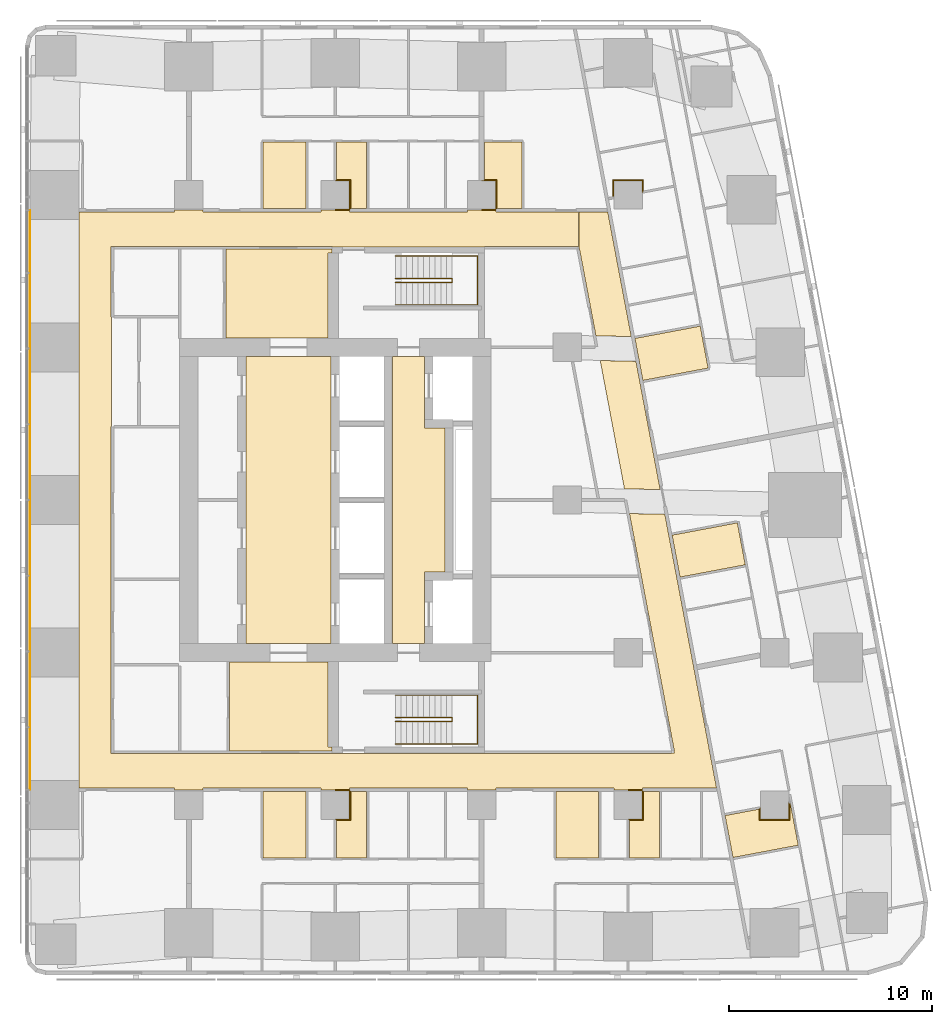
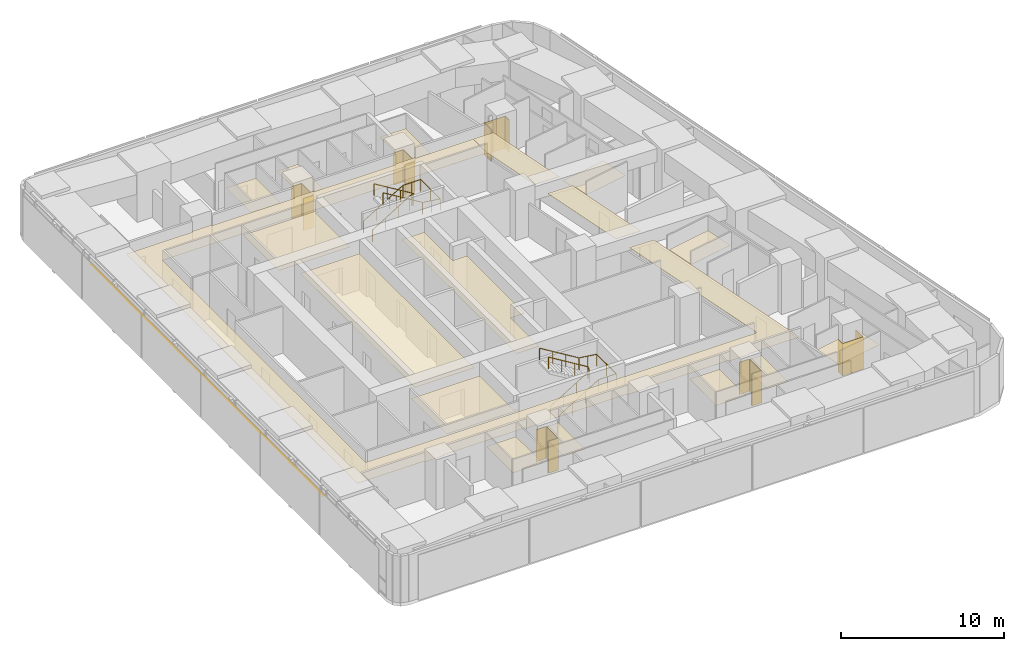
# One storey, part 19 of 19: 24 coverings, 4 railings.
"""IFC4 building model written with IfcOpenShell, lengths in metres."""

from ifc_helpers import new_model, si_unit, direction, frame, origin, origin_2d, place, context, subcontext, project, spatial, polyline, circle, outline, extrude, material, layer, layer_set, type_object, element, save


model = new_model("IFC4")

# Units and contexts
model_context = context("Model", 3, precision=1e-05, world=origin(), true_north=direction((0.0, 1.0)))
body_context = subcontext(model_context, "Body", "Model", "MODEL_VIEW")
ifc_project = project(units=[si_unit("LENGTHUNIT", "METRE"), si_unit("AREAUNIT", "SQUARE_METRE"), si_unit("VOLUMEUNIT", "CUBIC_METRE"), si_unit("PLANEANGLEUNIT", "RADIAN"), si_unit("MASSUNIT", "GRAM", prefix="KILO")], contexts=[model_context])

# Site, building, storey
site_placement = place(None, origin())
site = spatial("IfcSite", under=ifc_project, at=site_placement, CompositionType="ELEMENT")
building_placement = place(site_placement, origin())
building = spatial("IfcBuilding", under=site, at=building_placement, Name="Sheger Commons Tower", CompositionType="ELEMENT")
storey_placement = place(building_placement, frame((0.0, 0.0, 197.449951171875)))
storey = spatial("IfcBuildingStorey", under=building, at=storey_placement, Name="L50", CompositionType="ELEMENT", Elevation=197.449951171875)

# Railings
ifc_material_1 = material(Name="Steel handrail, black powder-coated", Category="steel")
railing_type = type_object("IfcRailingType", Name="HANDRAIL 900", PredefinedType="HANDRAIL", material=ifc_material_1)
railing_1_placement = place(storey_placement, frame((24.550048828125, 11.60009765625, 0.17041015625)))
element("IfcRailing", 1, at=railing_1_placement, inside=storey, type_object=railing_type, Name="Stair S1 handrail L50", PredefinedType="HANDRAIL", context=body_context, shape_type="SweptSolid", body=[
    extrude(circle(Radius=0.02392578125, at=origin_2d()), frame((0.0, 0.0, 0.8759765625), z_axis=(0.854169791009, 0.0, 0.51999420009), x_axis=(0.0, 1.0, 0.0)), (0.0, 0.0, 1.0), 3.278076171875),
    extrude(circle(Radius=0.02392578125, at=origin_2d()), frame((2.800048828125, 0.0, 2.58056640625), z_axis=(0.0, 0.761090297175, 0.648645943136), x_axis=(-1.0, 0.0, 0.0)), (0.0, 0.0, 1.0), 0.2626953125),
    extrude(circle(Radius=0.02392578125, at=origin_2d()), frame((2.800048828125, 0.199951171875, 2.7509765625), z_axis=(-0.854169791009, 0.0, 0.51999420009), x_axis=(0.0, -1.0, 0.0)), (0.0, 0.0, 1.0), 3.278076171875),
    extrude(circle(Radius=0.02099609375, at=origin_2d()), origin(), (0.0, 0.0, 1.0), 0.851806640625),
    extrude(circle(Radius=0.02099609375, at=origin_2d()), frame((0.933349609375, 0.0, 0.568115234375)), (0.0, 0.0, 1.0), 0.851806640625),
    extrude(circle(Radius=0.02099609375, at=origin_2d()), frame((1.86669921875, 0.0, 1.136474609375)), (0.0, 0.0, 1.0), 0.851806640625),
    extrude(circle(Radius=0.02099609375, at=origin_2d()), frame((2.800048828125, 0.0, 1.70458984375)), (0.0, 0.0, 1.0), 0.851806640625),
    extrude(circle(Radius=0.02099609375, at=origin_2d()), frame((2.800048828125, 0.199951171875, 1.875)), (0.0, 0.0, 1.0), 0.851806640625),
    extrude(circle(Radius=0.02099609375, at=origin_2d()), frame((1.86669921875, 0.199951171875, 2.443115234375)), (0.0, 0.0, 1.0), 0.851806640625),
    extrude(circle(Radius=0.02099609375, at=origin_2d()), frame((0.933349609375, 0.199951171875, 3.011474609375)), (0.0, 0.0, 1.0), 0.851806640625),
    extrude(circle(Radius=0.02099609375, at=origin_2d()), frame((0.0, 0.199951171875, 3.57958984375)), (0.0, 0.0, 1.0), 0.851806640625),
])
railing_2_placement = place(storey_placement, frame((24.550048828125, 10.5, 0.17041015625)))
element("IfcRailing", 2, at=railing_2_placement, inside=storey, type_object=railing_type, Name="Stair S1 handrail L50", PredefinedType="HANDRAIL", context=body_context, shape_type="SweptSolid", body=[
    extrude(circle(Radius=0.02392578125, at=origin_2d()), frame((0.0, 0.0, 0.8759765625), z_axis=(0.854169791009, 0.0, 0.51999420009), x_axis=(0.0, 1.0, 0.0)), (0.0, 0.0, 1.0), 3.278076171875),
    extrude(circle(Radius=0.02392578125, at=origin_2d()), frame((2.800048828125, 0.0, 2.58056640625), z_axis=(1.0, 0.0, 0.0), x_axis=(0.0, 1.0, 0.0)), (0.0, 0.0, 1.0), 1.25),
    extrude(circle(Radius=0.02392578125, at=origin_2d()), frame((4.050048828125, 0.0, 2.58056640625), z_axis=(0.0, 1.0, 0.0), x_axis=(-1.0, 0.0, 0.0)), (0.0, 0.0, 1.0), 2.39990234375),
    extrude(circle(Radius=0.02392578125, at=origin_2d()), frame((4.050048828125, 2.39990234375, 2.58056640625), z_axis=(-0.990834877927, 0.0, 0.135078661092), x_axis=(0.0, -1.0, 0.0)), (0.0, 0.0, 1.0), 1.261474609375),
    extrude(circle(Radius=0.02392578125, at=origin_2d()), frame((2.800048828125, 2.39990234375, 2.7509765625), z_axis=(-0.854169791009, 0.0, 0.51999420009), x_axis=(0.0, -1.0, 0.0)), (0.0, 0.0, 1.0), 3.278076171875),
    extrude(circle(Radius=0.02099609375, at=origin_2d()), origin(), (0.0, 0.0, 1.0), 0.851806640625),
    extrude(circle(Radius=0.02099609375, at=origin_2d()), frame((0.933349609375, 0.0, 0.568115234375)), (0.0, 0.0, 1.0), 0.851806640625),
    extrude(circle(Radius=0.02099609375, at=origin_2d()), frame((1.86669921875, 0.0, 1.136474609375)), (0.0, 0.0, 1.0), 0.851806640625),
    extrude(circle(Radius=0.02099609375, at=origin_2d()), frame((2.800048828125, 0.0, 1.70458984375)), (0.0, 0.0, 1.0), 0.851806640625),
    extrude(circle(Radius=0.02099609375, at=origin_2d()), frame((3.425048828125, 0.0, 1.70458984375)), (0.0, 0.0, 1.0), 0.851806640625),
    extrude(circle(Radius=0.02099609375, at=origin_2d()), frame((4.050048828125, 0.0, 1.70458984375)), (0.0, 0.0, 1.0), 0.851806640625),
    extrude(circle(Radius=0.02099609375, at=origin_2d()), frame((4.050048828125, 1.199951171875, 1.70458984375)), (0.0, 0.0, 1.0), 0.851806640625),
    extrude(circle(Radius=0.02099609375, at=origin_2d()), frame((4.050048828125, 2.39990234375, 1.70458984375)), (0.0, 0.0, 1.0), 0.851806640625),
    extrude(circle(Radius=0.02099609375, at=origin_2d()), frame((3.425048828125, 2.39990234375, 1.789794921875)), (0.0, 0.0, 1.0), 0.851806640625),
    extrude(circle(Radius=0.02099609375, at=origin_2d()), frame((2.800048828125, 2.39990234375, 1.875)), (0.0, 0.0, 1.0), 0.851806640625),
    extrude(circle(Radius=0.02099609375, at=origin_2d()), frame((1.86669921875, 2.39990234375, 2.443115234375)), (0.0, 0.0, 1.0), 0.851806640625),
    extrude(circle(Radius=0.02099609375, at=origin_2d()), frame((0.933349609375, 2.39990234375, 3.011474609375)), (0.0, 0.0, 1.0), 0.851806640625),
    extrude(circle(Radius=0.02099609375, at=origin_2d()), frame((0.0, 2.39990234375, 3.57958984375)), (0.0, 0.0, 1.0), 0.851806640625),
])
railing_3_placement = place(storey_placement, frame((24.550048828125, 33.39990234375, 0.17041015625)))
element("IfcRailing", 3, at=railing_3_placement, inside=storey, type_object=railing_type, Name="Stair S2 handrail L50", PredefinedType="HANDRAIL", context=body_context, shape_type="SweptSolid", body=[
    extrude(circle(Radius=0.02392578125, at=origin_2d()), frame((0.0, 0.0, 0.8759765625), z_axis=(0.854169791009, 0.0, 0.51999420009), x_axis=(0.0, 1.0, 0.0)), (0.0, 0.0, 1.0), 3.278076171875),
    extrude(circle(Radius=0.02392578125, at=origin_2d()), frame((2.800048828125, 0.0, 2.58056640625), z_axis=(0.0, -0.761090297175, 0.648645943136), x_axis=(1.0, 0.0, 0.0)), (0.0, 0.0, 1.0), 0.2626953125),
    extrude(circle(Radius=0.02392578125, at=origin_2d()), frame((2.800048828125, -0.199951171875, 2.7509765625), z_axis=(-0.854169791009, 0.0, 0.51999420009), x_axis=(0.0, -1.0, 0.0)), (0.0, 0.0, 1.0), 3.278076171875),
    extrude(circle(Radius=0.02099609375, at=origin_2d()), origin(), (0.0, 0.0, 1.0), 0.851806640625),
    extrude(circle(Radius=0.02099609375, at=origin_2d()), frame((0.933349609375, 0.0, 0.568115234375)), (0.0, 0.0, 1.0), 0.851806640625),
    extrude(circle(Radius=0.02099609375, at=origin_2d()), frame((1.86669921875, 0.0, 1.136474609375)), (0.0, 0.0, 1.0), 0.851806640625),
    extrude(circle(Radius=0.02099609375, at=origin_2d()), frame((2.800048828125, 0.0, 1.70458984375)), (0.0, 0.0, 1.0), 0.851806640625),
    extrude(circle(Radius=0.02099609375, at=origin_2d()), frame((2.800048828125, -0.199951171875, 1.875)), (0.0, 0.0, 1.0), 0.851806640625),
    extrude(circle(Radius=0.02099609375, at=origin_2d()), frame((1.86669921875, -0.199951171875, 2.443115234375)), (0.0, 0.0, 1.0), 0.851806640625),
    extrude(circle(Radius=0.02099609375, at=origin_2d()), frame((0.933349609375, -0.199951171875, 3.011474609375)), (0.0, 0.0, 1.0), 0.851806640625),
    extrude(circle(Radius=0.02099609375, at=origin_2d()), frame((0.0, -0.199951171875, 3.57958984375)), (0.0, 0.0, 1.0), 0.851806640625),
])
railing_4_placement = place(storey_placement, frame((24.550048828125, 34.5, 0.17041015625)))
element("IfcRailing", 4, at=railing_4_placement, inside=storey, type_object=railing_type, Name="Stair S2 handrail L50", PredefinedType="HANDRAIL", context=body_context, shape_type="SweptSolid", body=[
    extrude(circle(Radius=0.02392578125, at=origin_2d()), frame((0.0, 0.0, 0.8759765625), z_axis=(0.854169791009, 0.0, 0.51999420009), x_axis=(0.0, 1.0, 0.0)), (0.0, 0.0, 1.0), 3.278076171875),
    extrude(circle(Radius=0.02392578125, at=origin_2d()), frame((2.800048828125, 0.0, 2.58056640625), z_axis=(1.0, 0.0, 0.0), x_axis=(0.0, 1.0, 0.0)), (0.0, 0.0, 1.0), 1.25),
    extrude(circle(Radius=0.02392578125, at=origin_2d()), frame((4.050048828125, 0.0, 2.58056640625), z_axis=(0.0, -1.0, 0.0), x_axis=(1.0, 0.0, 0.0)), (0.0, 0.0, 1.0), 2.39990234375),
    extrude(circle(Radius=0.02392578125, at=origin_2d()), frame((4.050048828125, -2.39990234375, 2.58056640625), z_axis=(-0.990834877927, 0.0, 0.135078661092), x_axis=(0.0, -1.0, 0.0)), (0.0, 0.0, 1.0), 1.261474609375),
    extrude(circle(Radius=0.02392578125, at=origin_2d()), frame((2.800048828125, -2.39990234375, 2.7509765625), z_axis=(-0.854169791009, 0.0, 0.51999420009), x_axis=(0.0, -1.0, 0.0)), (0.0, 0.0, 1.0), 3.278076171875),
    extrude(circle(Radius=0.02099609375, at=origin_2d()), origin(), (0.0, 0.0, 1.0), 0.851806640625),
    extrude(circle(Radius=0.02099609375, at=origin_2d()), frame((0.933349609375, 0.0, 0.568115234375)), (0.0, 0.0, 1.0), 0.851806640625),
    extrude(circle(Radius=0.02099609375, at=origin_2d()), frame((1.86669921875, 0.0, 1.136474609375)), (0.0, 0.0, 1.0), 0.851806640625),
    extrude(circle(Radius=0.02099609375, at=origin_2d()), frame((2.800048828125, 0.0, 1.70458984375)), (0.0, 0.0, 1.0), 0.851806640625),
    extrude(circle(Radius=0.02099609375, at=origin_2d()), frame((3.425048828125, 0.0, 1.70458984375)), (0.0, 0.0, 1.0), 0.851806640625),
    extrude(circle(Radius=0.02099609375, at=origin_2d()), frame((4.050048828125, 0.0, 1.70458984375)), (0.0, 0.0, 1.0), 0.851806640625),
    extrude(circle(Radius=0.02099609375, at=origin_2d()), frame((4.050048828125, -1.199951171875, 1.70458984375)), (0.0, 0.0, 1.0), 0.851806640625),
    extrude(circle(Radius=0.02099609375, at=origin_2d()), frame((4.050048828125, -2.39990234375, 1.70458984375)), (0.0, 0.0, 1.0), 0.851806640625),
    extrude(circle(Radius=0.02099609375, at=origin_2d()), frame((3.425048828125, -2.39990234375, 1.789794921875)), (0.0, 0.0, 1.0), 0.851806640625),
    extrude(circle(Radius=0.02099609375, at=origin_2d()), frame((2.800048828125, -2.39990234375, 1.875)), (0.0, 0.0, 1.0), 0.851806640625),
    extrude(circle(Radius=0.02099609375, at=origin_2d()), frame((1.86669921875, -2.39990234375, 2.443115234375)), (0.0, 0.0, 1.0), 0.851806640625),
    extrude(circle(Radius=0.02099609375, at=origin_2d()), frame((0.933349609375, -2.39990234375, 3.011474609375)), (0.0, 0.0, 1.0), 0.851806640625),
    extrude(circle(Radius=0.02099609375, at=origin_2d()), frame((0.0, -2.39990234375, 3.57958984375)), (0.0, 0.0, 1.0), 0.851806640625),
])

# Coverings
ifc_material_2 = material(Name="Moisture-resistant gypsum plasterboard 15 mm on a suspended galvanised steel grid", Category="steel")
ifc_layer_1 = layer(ifc_material_2, 0.014892578125)
ifc_layer_set_1 = layer_set([ifc_layer_1], Name="MOISTURE-RESISTANT CEILING 15")
covering_type_1 = type_object("IfcCoveringType", Name="MOISTURE-RESISTANT CEILING 15", PredefinedType="CEILING", material=ifc_layer_set_1)
covering_1_placement = place(storey_placement, frame((0.0, 0.0, 2.400146484375)))
element("IfcCovering", 5, at=covering_1_placement, inside=storey, type_object=covering_type_1, Name="L50-02.B1 ceiling", PredefinedType="CEILING", context=body_context, shape_type="SweptSolid", body=[
    extrude(outline(polyline([(18.054931640625, 4.905029296875), (20.155029296875, 4.905029296875), (20.155029296875, 8.169921875), (18.054931640625, 8.169921875), (18.054931640625, 4.905029296875)])), origin(), (0.0, 0.0, 1.0), 0.014892578125),
])
covering_2_placement = place(storey_placement, frame((0.0, 0.0, 2.400146484375)))
element("IfcCovering", 6, at=covering_2_placement, inside=storey, type_object=covering_type_1, Name="L50-02.B2 ceiling", PredefinedType="CEILING", context=body_context, shape_type="SweptSolid", body=[
    extrude(outline(polyline([(21.655029296875, 4.905029296875), (23.14501953125, 4.905029296875), (23.14501953125, 8.169921875), (22.304931640625, 8.169921875), (22.304931640625, 6.794921875), (21.655029296875, 6.794921875), (21.655029296875, 4.905029296875)])), origin(), (0.0, 0.0, 1.0), 0.014892578125),
])
covering_3_placement = place(storey_placement, frame((0.0, 0.0, 2.400146484375)))
element("IfcCovering", 7, at=covering_3_placement, inside=storey, type_object=covering_type_1, Name="L50-03.B1 ceiling", PredefinedType="CEILING", context=body_context, shape_type="SweptSolid", body=[
    extrude(outline(polyline([(32.455078125, 4.905029296875), (34.554931640625, 4.905029296875), (34.554931640625, 8.169921875), (32.455078125, 8.169921875), (32.455078125, 4.905029296875)])), origin(), (0.0, 0.0, 1.0), 0.014892578125),
])
covering_4_placement = place(storey_placement, frame((0.0, 0.0, 2.400146484375)))
element("IfcCovering", 8, at=covering_4_placement, inside=storey, type_object=covering_type_1, Name="L50-03.B2 ceiling", PredefinedType="CEILING", context=body_context, shape_type="SweptSolid", body=[
    extrude(outline(polyline([(36.054931640625, 4.905029296875), (37.544921875, 4.905029296875), (37.544921875, 8.169921875), (36.705078125, 8.169921875), (36.705078125, 6.794921875), (36.054931640625, 6.794921875), (36.054931640625, 4.905029296875)])), origin(), (0.0, 0.0, 1.0), 0.014892578125),
])
covering_5_placement = place(storey_placement, frame((0.0, 0.0, 2.400146484375)))
element("IfcCovering", 9, at=covering_5_placement, inside=storey, type_object=covering_type_1, Name="L50-04.B1 ceiling", PredefinedType="CEILING", context=body_context, shape_type="SweptSolid", body=[
    extrude(outline(polyline([(36.72509765625, 28.37890625), (39.93310546875, 28.986083984375), (39.54296875, 31.049072265625), (36.3349609375, 30.443115234375), (36.72509765625, 28.37890625)])), origin(), (0.0, 0.0, 1.0), 0.014892578125),
])
covering_6_placement = place(storey_placement, frame((0.0, 0.0, 2.400146484375)))
element("IfcCovering", 10, at=covering_6_placement, inside=storey, type_object=covering_type_1, Name="L50-05.B1 ceiling", PredefinedType="CEILING", context=body_context, shape_type="SweptSolid", body=[
    extrude(outline(polyline([(38.552001953125, 18.7080078125), (41.760009765625, 19.31396484375), (41.3701171875, 21.3779296875), (38.162109375, 20.77197265625), (38.552001953125, 18.7080078125)])), origin(), (0.0, 0.0, 1.0), 0.014892578125),
])
covering_7_placement = place(storey_placement, frame((0.0, 0.0, 2.400146484375)))
element("IfcCovering", 11, at=covering_7_placement, inside=storey, type_object=covering_type_1, Name="L50-06.B1 ceiling", PredefinedType="CEILING", context=body_context, shape_type="SweptSolid", body=[
    extrude(outline(polyline([(41.156005859375, 4.9208984375), (44.364013671875, 5.527099609375), (43.97412109375, 7.591064453125), (43.9150390625, 7.580078125), (43.906982421875, 7.623046875), (43.905029296875, 7.623046875), (43.905029296875, 6.794921875), (42.4951171875, 6.794921875), (42.4951171875, 7.31201171875), (40.76611328125, 6.985107421875), (41.156005859375, 4.9208984375)])), origin(), (0.0, 0.0, 1.0), 0.014892578125),
])
covering_8_placement = place(storey_placement, frame((0.0, 0.0, 2.400146484375)))
element("IfcCovering", 12, at=covering_8_placement, inside=storey, type_object=covering_type_1, Name="L50-08.B1 ceiling", PredefinedType="CEILING", context=body_context, shape_type="SweptSolid", body=[
    extrude(outline(polyline([(18.054931640625, 36.830078125), (20.155029296875, 36.830078125), (20.155029296875, 40.094970703125), (18.054931640625, 40.094970703125), (18.054931640625, 36.830078125)])), origin(), (0.0, 0.0, 1.0), 0.014892578125),
])
covering_9_placement = place(storey_placement, frame((0.0, 0.0, 2.400146484375)))
element("IfcCovering", 13, at=covering_9_placement, inside=storey, type_object=covering_type_1, Name="L50-08.B2 ceiling", PredefinedType="CEILING", context=body_context, shape_type="SweptSolid", body=[
    extrude(outline(polyline([(22.304931640625, 36.830078125), (23.14501953125, 36.830078125), (23.14501953125, 40.094970703125), (21.655029296875, 40.094970703125), (21.655029296875, 38.205078125), (22.304931640625, 38.205078125), (22.304931640625, 36.830078125)])), origin(), (0.0, 0.0, 1.0), 0.014892578125),
])
covering_10_placement = place(storey_placement, frame((0.0, 0.0, 2.400146484375)))
element("IfcCovering", 14, at=covering_10_placement, inside=storey, type_object=covering_type_1, Name="L50-09.B1 ceiling", PredefinedType="CEILING", context=body_context, shape_type="SweptSolid", body=[
    extrude(outline(polyline([(29.5048828125, 36.830078125), (30.77392578125, 36.830078125), (30.77392578125, 40.094970703125), (28.929931640625, 40.094970703125), (28.929931640625, 38.205078125), (29.5048828125, 38.205078125), (29.5048828125, 36.830078125)])), origin(), (0.0, 0.0, 1.0), 0.014892578125),
])
ifc_material_3 = material(Name="Gypsum plasterboard 15 mm on a suspended steel grid", Category="steel")
ifc_layer_2 = layer(ifc_material_3, 0.014892578125)
ifc_layer_set_2 = layer_set([ifc_layer_2], Name="SUSPENDED CEILING 15")
covering_type_2 = type_object("IfcCoveringType", Name="SUSPENDED CEILING 15", PredefinedType="CEILING", material=ifc_layer_set_2)
covering_11_placement = place(storey_placement, frame((0.0, 0.0, 2.699951171875)))
element("IfcCovering", 15, at=covering_11_placement, inside=storey, type_object=covering_type_2, Name="L50-CO ceiling", PredefinedType="CEILING", context=body_context, shape_type="SweptSolid", body=[
    extrude(outline(polyline([(6.554931640625, 8.25), (6.594970703125, 8.25), (6.594970703125, 36.75), (6.554931640625, 36.75), (6.554931640625, 8.25)])), origin(), (0.0, 0.0, 1.0), 0.01513671875),
])
covering_12_placement = place(storey_placement, frame((0.0, 0.0, 2.699951171875)))
element("IfcCovering", 16, at=covering_12_placement, inside=storey, type_object=covering_type_2, Name="L50-CO ceiling", PredefinedType="CEILING", context=body_context, shape_type="SweptSolid", body=[
    extrude(outline(polyline([(13.7041015625, 8.25), (15.095947265625, 8.25), (15.095947265625, 8.330078125), (20.904052734375, 8.330078125), (20.904052734375, 8.25), (22.2958984375, 8.25), (22.2958984375, 8.330078125), (28.10400390625, 8.330078125), (28.10400390625, 8.25), (29.49609375, 8.25), (29.49609375, 8.330078125), (35.303955078125, 8.330078125), (35.303955078125, 8.25), (36.696044921875, 8.25), (36.696044921875, 8.330078125), (40.34912109375, 8.330078125), (37.804931640625, 21.798095703125), (36.06591796875, 21.8330078125), (38.26904296875, 10.1708984375), (38.251953125, 10.1669921875), (38.27392578125, 10.050048828125), (38.14306640625, 10.050048828125), (38.14306640625, 10.031982421875), (28.945068359375, 10.031982421875), (28.945068359375, 10.044921875), (21.455078125, 10.044921875), (21.455078125, 10.031982421875), (10.7080078125, 10.031982421875), (10.7080078125, 10.044921875), (10.58203125, 10.044921875), (10.58203125, 26.10498046875), (10.60009765625, 26.10498046875), (10.60009765625, 31.4951171875), (10.58203125, 31.4951171875), (10.58203125, 34.955078125), (10.7080078125, 34.955078125), (10.7080078125, 34.968017578125), (21.455078125, 34.968017578125), (21.455078125, 34.949951171875), (28.945068359375, 34.949951171875), (28.945068359375, 34.968017578125), (33.54296875, 34.968017578125), (33.54296875, 34.949951171875), (33.568115234375, 34.949951171875), (33.568115234375, 36.669921875), (29.49609375, 36.669921875), (29.49609375, 36.75), (28.10400390625, 36.75), (28.10400390625, 36.669921875), (22.2958984375, 36.669921875), (22.2958984375, 36.75), (20.904052734375, 36.75), (20.904052734375, 36.669921875), (15.095947265625, 36.669921875), (15.095947265625, 36.75), (13.7041015625, 36.75), (13.7041015625, 36.669921875), (9.0048828125, 36.669921875), (9.0048828125, 8.330078125), (13.7041015625, 8.330078125), (13.7041015625, 8.25)])), origin(), (0.0, 0.0, 1.0), 0.01513671875),
])
covering_13_placement = place(storey_placement, frame((0.0, 0.0, 2.699951171875)))
element("IfcCovering", 17, at=covering_13_placement, inside=storey, type_object=covering_type_2, Name="L50-CO ceiling", PredefinedType="CEILING", context=body_context, shape_type="SweptSolid", body=[
    extrude(outline(polyline([(37.575927734375, 23.011962890625), (36.385009765625, 29.318115234375), (34.626953125, 29.35791015625), (35.819091796875, 23.048095703125), (37.575927734375, 23.011962890625)])), origin(), (0.0, 0.0, 1.0), 0.01513671875),
])
covering_14_placement = place(storey_placement, frame((0.0, 0.0, 2.699951171875)))
element("IfcCovering", 18, at=covering_14_placement, inside=storey, type_object=covering_type_2, Name="L50-CO ceiling", PredefinedType="CEILING", context=body_context, shape_type="SweptSolid", body=[
    extrude(outline(polyline([(36.155029296875, 30.533935546875), (34.98095703125, 36.75), (34.97705078125, 36.75), (34.97705078125, 36.669921875), (33.572998046875, 36.669921875), (33.572998046875, 34.947998046875), (33.571044921875, 34.947998046875), (33.589111328125, 34.85205078125), (33.60595703125, 34.85498046875), (34.416015625, 30.572998046875), (36.155029296875, 30.533935546875)])), origin(), (0.0, 0.0, 1.0), 0.01513671875),
])
covering_15_placement = place(storey_placement, frame((0.0, 0.0, 2.699951171875)))
element("IfcCovering", 19, at=covering_15_placement, inside=storey, type_object=covering_type_2, Name="L50-SVS1 ceiling", PredefinedType="CEILING", context=body_context, shape_type="SweptSolid", body=[
    extrude(outline(polyline([(16.406982421875, 10.16796875), (21.445068359375, 10.16796875), (21.445068359375, 10.344970703125), (21.2451171875, 10.344970703125), (21.2451171875, 14.544921875), (16.406982421875, 14.544921875), (16.406982421875, 10.16796875)])), origin(), (0.0, 0.0, 1.0), 0.01513671875),
])
covering_16_placement = place(storey_placement, frame((0.0, 0.0, 2.699951171875)))
element("IfcCovering", 20, at=covering_16_placement, inside=storey, type_object=covering_type_2, Name="L50-SVN1 ceiling", PredefinedType="CEILING", context=body_context, shape_type="SweptSolid", body=[
    extrude(outline(polyline([(16.217041015625, 30.455078125), (21.2451171875, 30.455078125), (21.2451171875, 34.655029296875), (21.445068359375, 34.655029296875), (21.445068359375, 34.83203125), (16.217041015625, 34.83203125), (16.217041015625, 30.455078125)])), origin(), (0.0, 0.0, 1.0), 0.01513671875),
])
covering_17_placement = place(storey_placement, frame((0.0, 0.0, 2.699951171875)))
element("IfcCovering", 21, at=covering_17_placement, inside=storey, type_object=covering_type_2, Name="L50-LL ceiling", PredefinedType="CEILING", context=body_context, shape_type="SweptSolid", body=[
    extrude(outline(polyline([(17.205078125, 15.455078125), (21.39990234375, 15.455078125), (21.39990234375, 29.544921875), (17.205078125, 29.544921875), (17.205078125, 15.455078125)])), origin(), (0.0, 0.0, 1.0), 0.01513671875),
])
covering_18_placement = place(storey_placement, frame((0.0, 0.0, 2.699951171875)))
element("IfcCovering", 22, at=covering_18_placement, inside=storey, type_object=covering_type_2, Name="L50-FL ceiling", PredefinedType="CEILING", context=body_context, shape_type="SweptSolid", body=[
    extrude(outline(polyline([(24.405029296875, 15.455078125), (25.9951171875, 15.455078125), (25.9951171875, 18.955078125), (26.9951171875, 18.955078125), (26.9951171875, 26.044921875), (25.9951171875, 26.044921875), (25.9951171875, 29.544921875), (24.405029296875, 29.544921875), (24.405029296875, 15.455078125)])), origin(), (0.0, 0.0, 1.0), 0.01513671875),
])
ifc_material_4 = material(Name="Moisture-resistant gypsum board 12.5 mm on 25 mm treated timber battens, tanked and tiled", Category="wood")
ifc_layer_3 = layer(ifc_material_4, 0.050048828125)
ifc_layer_set_3 = layer_set([ifc_layer_3], Name="WET-ROOM COLUMN LINING")
covering_type_3 = type_object("IfcCoveringType", Name="WET-ROOM COLUMN LINING", PredefinedType="CLADDING", material=ifc_layer_set_3)
covering_19_placement = place(storey_placement, origin())
element("IfcCovering", 23, at=covering_19_placement, inside=storey, type_object=covering_type_3, Name="Shower room column lining C11 L50", PredefinedType="CLADDING", context=body_context, shape_type="SweptSolid", body=[
    extrude(outline(polyline([(22.35009765625, 6.75), (21.64990234375, 6.75), (21.64990234375, 6.799072265625), (21.60009765625, 6.799072265625), (21.60009765625, 6.800048828125), (22.300048828125, 6.800048828125), (22.300048828125, 8.199951171875), (21.60009765625, 8.199951171875), (21.60009765625, 8.25), (22.301025390625, 8.25), (22.301025390625, 8.175048828125), (22.35009765625, 8.175048828125), (22.35009765625, 6.75)])), origin(), (0.0, 0.0, 1.0), 2.400146484375),
])
covering_20_placement = place(storey_placement, origin())
element("IfcCovering", 24, at=covering_20_placement, inside=storey, type_object=covering_type_3, Name="Shower room column lining C11 L50", PredefinedType="CLADDING", context=body_context, shape_type="SweptSolid", body=[
    extrude(outline(polyline([(36.75, 6.75), (36.050048828125, 6.75), (36.050048828125, 6.799072265625), (36.0, 6.799072265625), (36.0, 6.800048828125), (36.699951171875, 6.800048828125), (36.699951171875, 8.199951171875), (36.0, 8.199951171875), (36.0, 8.25), (36.700927734375, 8.25), (36.700927734375, 8.175048828125), (36.75, 8.175048828125), (36.75, 6.75)])), origin(), (0.0, 0.0, 1.0), 2.400146484375),
])
covering_21_placement = place(storey_placement, origin())
element("IfcCovering", 25, at=covering_21_placement, inside=storey, type_object=covering_type_3, Name="Bathroom column lining C11 L50", PredefinedType="CLADDING", context=body_context, shape_type="SweptSolid", body=[
    extrude(outline(polyline([(42.5, 7.367919921875), (42.5, 6.800048828125), (43.89990234375, 6.800048828125), (43.89990234375, 7.633056640625), (43.909912109375, 7.635009765625), (43.9189453125, 7.5859375), (43.949951171875, 7.592041015625), (43.949951171875, 6.75), (42.449951171875, 6.75), (42.449951171875, 7.30908203125), (42.4990234375, 7.318115234375), (42.489990234375, 7.365966796875), (42.5, 7.367919921875)])), origin(), (0.0, 0.0, 1.0), 2.400146484375),
])
covering_22_placement = place(storey_placement, origin())
element("IfcCovering", 26, at=covering_22_placement, inside=storey, type_object=covering_type_3, Name="Shower room column lining C11 L50", PredefinedType="CLADDING", context=body_context, shape_type="SweptSolid", body=[
    extrude(outline(polyline([(22.35009765625, 36.824951171875), (22.301025390625, 36.824951171875), (22.301025390625, 36.75), (21.60009765625, 36.75), (21.60009765625, 36.800048828125), (22.300048828125, 36.800048828125), (22.300048828125, 38.199951171875), (21.60009765625, 38.199951171875), (21.60009765625, 38.200927734375), (21.64990234375, 38.200927734375), (21.64990234375, 38.25), (22.35009765625, 38.25), (22.35009765625, 36.824951171875)])), origin(), (0.0, 0.0, 1.0), 2.400146484375),
])
covering_23_placement = place(storey_placement, origin())
element("IfcCovering", 27, at=covering_23_placement, inside=storey, type_object=covering_type_3, Name="Shower room column lining C11 L50", PredefinedType="CLADDING", context=body_context, shape_type="SweptSolid", body=[
    extrude(outline(polyline([(29.550048828125, 36.824951171875), (29.5009765625, 36.824951171875), (29.5009765625, 36.75), (28.800048828125, 36.75), (28.800048828125, 36.800048828125), (29.5, 36.800048828125), (29.5, 38.199951171875), (28.800048828125, 38.199951171875), (28.800048828125, 38.200927734375), (28.925048828125, 38.200927734375), (28.925048828125, 38.25), (29.550048828125, 38.25), (29.550048828125, 36.824951171875)])), origin(), (0.0, 0.0, 1.0), 2.400146484375),
])
covering_24_placement = place(storey_placement, origin())
element("IfcCovering", 28, at=covering_24_placement, inside=storey, type_object=covering_type_3, Name="Laundry room column lining C11 L50", PredefinedType="CLADDING", context=body_context, shape_type="SweptSolid", body=[
    extrude(outline(polyline([(36.75, 38.25), (36.75, 37.69189453125), (36.700927734375, 37.68310546875), (36.7099609375, 37.635009765625), (36.699951171875, 37.633056640625), (36.699951171875, 38.199951171875), (35.300048828125, 38.199951171875), (35.300048828125, 37.367919921875), (35.2900390625, 37.365966796875), (35.281005859375, 37.4150390625), (35.25, 37.408935546875), (35.25, 38.25), (36.75, 38.25)])), origin(), (0.0, 0.0, 1.0), 2.400146484375),
])

save(model, "model.ifc")
